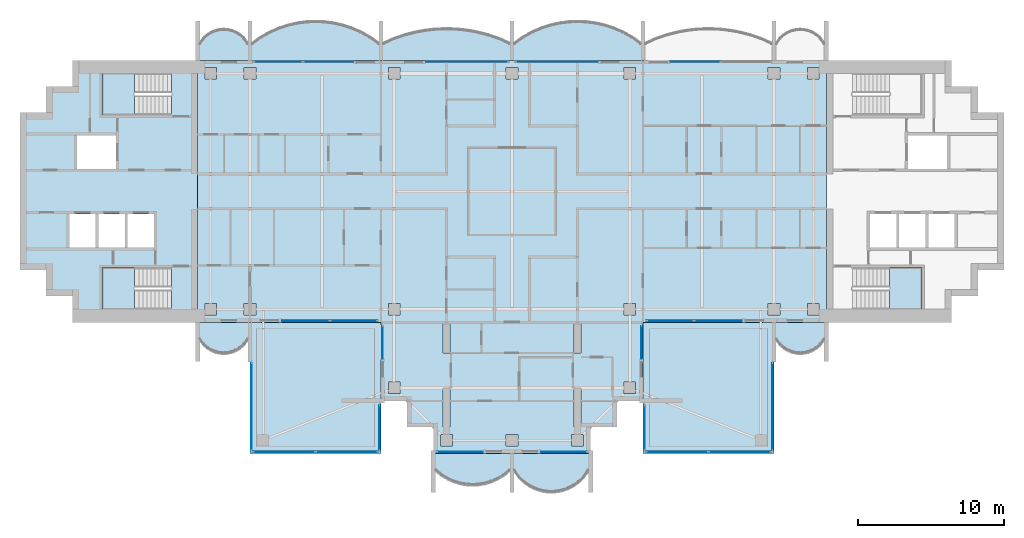
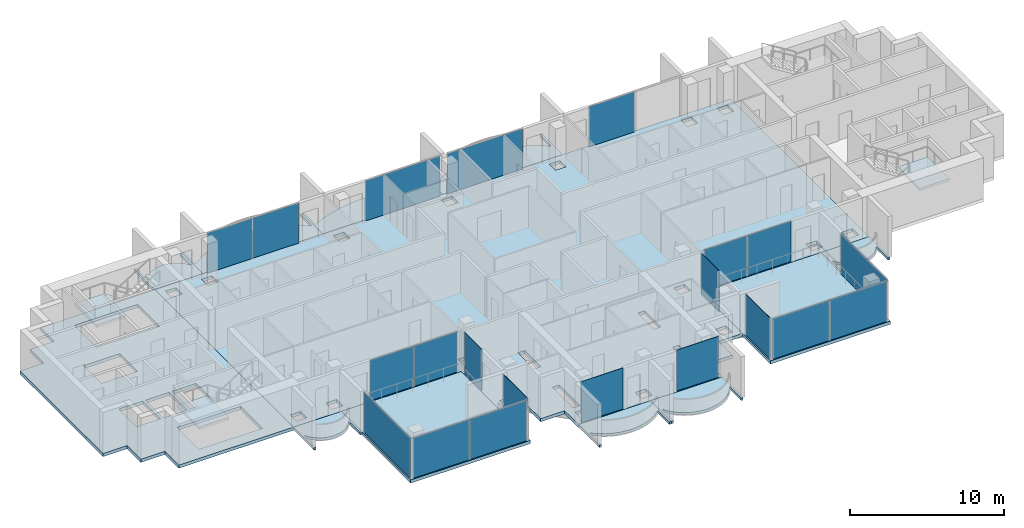
# One storey, part 5 of 16: 21 plates, 15 slabs, 19 elements without a shape of their own.
"""IFC4 building model written with IfcOpenShell, lengths in metres."""

from ifc_helpers import new_model, si_unit, direction, frame, origin, origin_2d, place, context, subcontext, project, spatial, polyline, rectangle, outline, extrude, material, layer, layer_set, type_object, element, aggregate, save


model = new_model("IFC4")

# Units and contexts
model_context = context("Model", 3, precision=1e-05, world=origin(), true_north=direction((0.0, 1.0)))
body_context = subcontext(model_context, "Body", "Model", "MODEL_VIEW")
ifc_project = project(units=[si_unit("LENGTHUNIT", "METRE"), si_unit("AREAUNIT", "SQUARE_METRE"), si_unit("VOLUMEUNIT", "CUBIC_METRE"), si_unit("PLANEANGLEUNIT", "RADIAN"), si_unit("MASSUNIT", "GRAM", prefix="KILO")], contexts=[model_context])

# Site, building, storey
site_placement = place(None, origin())
site = spatial("IfcSite", under=ifc_project, at=site_placement, CompositionType="ELEMENT")
building_placement = place(site_placement, origin())
building = spatial("IfcBuilding", under=site, at=building_placement, Name="Perihelion Cross Residences", CompositionType="ELEMENT")
storey_placement = place(building_placement, frame((0.0, 0.0, 243.0)))
storey = spatial("IfcBuildingStorey", under=building, at=storey_placement, Name="L61", CompositionType="ELEMENT", Elevation=243.0)

# Slabs
ifc_material_1 = material(Name="Concrete C40/50", Category="concrete")
ifc_layer_1 = layer(ifc_material_1, 0.199951171875)
ifc_layer_set_1 = layer_set([ifc_layer_1], Name="Balcony slab 200")
slab_type_1 = type_object("IfcSlabType", Name="Balcony slab 200", PredefinedType="FLOOR", material=ifc_layer_set_1)
slab_1_placement = place(storey_placement, frame((0.0, 0.0, -0.199951171875)))
element("IfcSlab", 1, at=slab_1_placement, inside=storey, type_object=slab_type_1, Name="Slab BK1 L61 north side east bay 1 balcony", PredefinedType="FLOOR", context=body_context, shape_type="SweptSolid", body=[
    extrude(outline(polyline([(9.0, 9.0), (0.0, 9.0), (0.0, 11.699951171875), (0.14990234375, 11.699951171875), (0.14990234375, 10.199951171875), (0.771484375, 10.634765625), (1.392822265625, 10.979248046875), (2.014404296875, 11.247802734375), (2.6357421875, 11.44921875), (3.257080078125, 11.589599609375), (3.878662109375, 11.672607421875), (4.5, 11.699951171875), (5.121337890625, 11.672607421875), (5.742919921875, 11.589599609375), (6.3642578125, 11.44921875), (6.985595703125, 11.247802734375), (7.607177734375, 10.979248046875), (8.228515625, 10.634765625), (8.85009765625, 10.199951171875), (8.85009765625, 11.699951171875), (9.0, 11.699951171875), (9.0, 9.0)])), origin(), (0.0, 0.0, 1.0), 0.199951171875),
])
slab_2_placement = place(storey_placement, frame((0.0, 0.0, -0.199951171875)))
element("IfcSlab", 2, at=slab_2_placement, inside=storey, type_object=slab_type_1, Name="Slab BK1 L61 north side east bay 2 balcony", PredefinedType="FLOOR", context=body_context, shape_type="SweptSolid", body=[
    extrude(outline(polyline([(0.0, 9.0), (-9.0, 9.0), (-9.0, 11.699951171875), (-8.85009765625, 11.699951171875), (-8.85009765625, 10.199951171875), (-8.125, 10.51708984375), (-7.39990234375, 10.7685546875), (-6.675048828125, 10.959716796875), (-5.949951171875, 11.093994140625), (-5.22509765625, 11.173583984375), (-4.5, 11.199951171875), (-3.77490234375, 11.173583984375), (-3.050048828125, 11.093994140625), (-2.324951171875, 10.959716796875), (-1.60009765625, 10.7685546875), (-0.875, 10.51708984375), (-0.14990234375, 10.199951171875), (-0.14990234375, 11.699951171875), (0.0, 11.699951171875), (0.0, 9.0)])), origin(), (0.0, 0.0, 1.0), 0.199951171875),
])
slab_3_placement = place(storey_placement, frame((0.0, 0.0, -0.199951171875)))
element("IfcSlab", 3, at=slab_3_placement, inside=storey, type_object=slab_type_1, Name="Slab BK1 L61 west side north bay 1 balcony", PredefinedType="FLOOR", context=body_context, shape_type="SweptSolid", body=[
    extrude(outline(polyline([(-9.0, 9.0), (-18.0, 9.0), (-18.0, 11.699951171875), (-17.85009765625, 11.699951171875), (-17.85009765625, 10.199951171875), (-17.228515625, 10.634765625), (-16.607177734375, 10.979248046875), (-15.985595703125, 11.247802734375), (-15.3642578125, 11.44921875), (-14.742919921875, 11.589599609375), (-14.121337890625, 11.672607421875), (-13.5, 11.699951171875), (-12.878662109375, 11.672607421875), (-12.257080078125, 11.589599609375), (-11.6357421875, 11.44921875), (-11.014404296875, 11.247802734375), (-10.392822265625, 10.979248046875), (-9.771484375, 10.634765625), (-9.14990234375, 10.199951171875), (-9.14990234375, 11.699951171875), (-9.0, 11.699951171875), (-9.0, 9.0)])), origin(), (0.0, 0.0, 1.0), 0.199951171875),
])
slab_4_placement = place(storey_placement, frame((0.0, 0.0, -0.199951171875)))
element("IfcSlab", 4, at=slab_4_placement, inside=storey, type_object=slab_type_1, Name="Slab BK1 L61 west side north bay 2 balcony", PredefinedType="FLOOR", context=body_context, shape_type="SweptSolid", body=[
    extrude(outline(polyline([(-18.0, 9.0), (-21.60009765625, 9.0), (-21.60009765625, 11.699951171875), (-21.449951171875, 11.699951171875), (-21.449951171875, 10.199951171875), (-21.175048828125, 10.568603515625), (-20.89990234375, 10.806396484375), (-20.625, 10.96875), (-20.35009765625, 11.07568359375), (-20.074951171875, 11.136962890625), (-19.800048828125, 11.156982421875), (-19.52490234375, 11.136962890625), (-19.25, 11.07568359375), (-18.97509765625, 10.96875), (-18.699951171875, 10.806396484375), (-18.425048828125, 10.568603515625), (-18.14990234375, 10.199951171875), (-18.14990234375, 11.699951171875), (-18.0, 11.699951171875), (-18.0, 9.0)])), origin(), (0.0, 0.0, 1.0), 0.199951171875),
])
slab_5_placement = place(storey_placement, frame((0.0, 0.0, -0.199951171875)))
element("IfcSlab", 5, at=slab_5_placement, inside=storey, type_object=slab_type_1, Name="Slab BK1 L61 west side south bay 1 balcony", PredefinedType="FLOOR", context=body_context, shape_type="SweptSolid", body=[
    extrude(outline(polyline([(-21.60009765625, -9.0), (-18.0, -9.0), (-18.0, -11.699951171875), (-18.14990234375, -11.699951171875), (-18.14990234375, -10.199951171875), (-18.425048828125, -10.568603515625), (-18.699951171875, -10.806396484375), (-18.97509765625, -10.96875), (-19.25, -11.07568359375), (-19.52490234375, -11.136962890625), (-19.800048828125, -11.156982421875), (-20.074951171875, -11.136962890625), (-20.35009765625, -11.07568359375), (-20.625, -10.96875), (-20.89990234375, -10.806396484375), (-21.175048828125, -10.568603515625), (-21.449951171875, -10.199951171875), (-21.449951171875, -11.699951171875), (-21.60009765625, -11.699951171875), (-21.60009765625, -9.0)])), origin(), (0.0, 0.0, 1.0), 0.199951171875),
])
slab_6_placement = place(storey_placement, frame((0.0, 0.0, -0.199951171875)))
element("IfcSlab", 6, at=slab_6_placement, inside=storey, type_object=slab_type_1, Name="Slab BK1 L61 south tip south bay 1 balcony", PredefinedType="FLOOR", context=body_context, shape_type="SweptSolid", body=[
    extrude(outline(polyline([(-5.39990234375, -18.0), (0.0, -18.0), (0.0, -20.699951171875), (-0.14990234375, -20.699951171875), (-0.14990234375, -19.199951171875), (-0.574951171875, -19.5400390625), (-1.0, -19.792724609375), (-1.425048828125, -19.9765625), (-1.85009765625, -20.1025390625), (-2.27490234375, -20.17578125), (-2.699951171875, -20.199951171875), (-3.125, -20.17578125), (-3.550048828125, -20.1025390625), (-3.97509765625, -19.9765625), (-4.39990234375, -19.792724609375), (-4.824951171875, -19.5400390625), (-5.25, -19.199951171875), (-5.25, -20.699951171875), (-5.39990234375, -20.699951171875), (-5.39990234375, -18.0)])), origin(), (0.0, 0.0, 1.0), 0.199951171875),
])
slab_7_placement = place(storey_placement, frame((0.0, 0.0, -0.199951171875)))
element("IfcSlab", 7, at=slab_7_placement, inside=storey, type_object=slab_type_1, Name="Slab BK1 L61 south tip south bay 2 balcony", PredefinedType="FLOOR", context=body_context, shape_type="SweptSolid", body=[
    extrude(outline(polyline([(0.0, -18.0), (5.39990234375, -18.0), (5.39990234375, -20.699951171875), (5.25, -20.699951171875), (5.25, -19.199951171875), (4.909912109375, -19.6767578125), (4.570068359375, -20.007080078125), (4.22998046875, -20.2490234375), (3.889892578125, -20.42724609375), (3.550048828125, -20.553466796875), (3.2099609375, -20.63427734375), (2.8701171875, -20.674072265625), (2.530029296875, -20.674072265625), (2.18994140625, -20.63427734375), (1.85009765625, -20.553466796875), (1.510009765625, -20.42724609375), (1.169921875, -20.2490234375), (0.830078125, -20.007080078125), (0.489990234375, -19.6767578125), (0.14990234375, -19.199951171875), (0.14990234375, -20.699951171875), (0.0, -20.699951171875), (0.0, -18.0)])), origin(), (0.0, 0.0, 1.0), 0.199951171875),
])
slab_8_placement = place(storey_placement, frame((0.0, 0.0, -0.199951171875)))
element("IfcSlab", 8, at=slab_8_placement, inside=storey, type_object=slab_type_1, Name="Slab BK1 L61 east side south bay 2 balcony", PredefinedType="FLOOR", context=body_context, shape_type="SweptSolid", body=[
    extrude(outline(polyline([(18.0, -9.0), (21.60009765625, -9.0), (21.60009765625, -11.699951171875), (21.449951171875, -11.699951171875), (21.449951171875, -10.199951171875), (21.175048828125, -10.568603515625), (20.89990234375, -10.806396484375), (20.625, -10.96875), (20.35009765625, -11.07568359375), (20.074951171875, -11.136962890625), (19.800048828125, -11.156982421875), (19.52490234375, -11.136962890625), (19.25, -11.07568359375), (18.97509765625, -10.96875), (18.699951171875, -10.806396484375), (18.425048828125, -10.568603515625), (18.14990234375, -10.199951171875), (18.14990234375, -11.699951171875), (18.0, -11.699951171875), (18.0, -9.0)])), origin(), (0.0, 0.0, 1.0), 0.199951171875),
])

# Curtain wall, plate
ifc_material_2 = material(Name="Bronze anodised aluminium, tinted glazing", Category="aluminium")
curtain_wall_type_1 = type_object("IfcCurtainWallType", Name="CW1", PredefinedType="NOTDEFINED", material=ifc_material_2)
curtain_wall_1_placement = place(storey_placement, origin())
curtain_wall_1 = element("IfcCurtainWall", 9, at=curtain_wall_1_placement, inside=storey, type_object=curtain_wall_type_1, Name="Curtain wall CW1 L61 east side north bay 2", PredefinedType="NOTDEFINED")
ifc_material_3 = material(Name="Tinted laminated glass", Category="glass")
ifc_layer_2 = layer(ifc_material_3, 0.028076171875)
ifc_layer_set_2 = layer_set([ifc_layer_2], Name="CW1 panel")
plate_type_1 = type_object("IfcPlateType", Name="CW1 panel", PredefinedType="CURTAIN_PANEL", material=ifc_layer_set_2)
plate_1_placement = place(storey_placement, frame((12.610107421875, 8.89990234375, 0.0), z_axis=(0.0, 0.0, 1.0), x_axis=(-1.0, 0.0, 0.0)))
plate_1 = element("IfcPlate", 10, at=plate_1_placement, type_object=plate_type_1, Name="CW1 panel 2", PredefinedType="CURTAIN_PANEL", context=body_context, shape_type="SweptSolid", body=[
    extrude(rectangle(XDim=3.419921875, YDim=0.028076171875, at=origin_2d()), origin(), (0.0, 0.0, 1.0), 3.18994140625),
])
aggregate(curtain_wall_1, [plate_1])

curtain_wall_2_placement = place(storey_placement, origin())
curtain_wall_2 = element("IfcCurtainWall", 11, at=curtain_wall_2_placement, inside=storey, type_object=curtain_wall_type_1, Name="Curtain wall CW1 L61 north side east bay 1", PredefinedType="NOTDEFINED")
plate_2_placement = place(storey_placement, frame((3.080078125, 8.89990234375, 0.0), z_axis=(0.0, 0.0, 1.0), x_axis=(-1.0, 0.0, 0.0)))
plate_2 = element("IfcPlate", 12, at=plate_2_placement, type_object=plate_type_1, Name="CW1 panel 1", PredefinedType="CURTAIN_PANEL", context=body_context, shape_type="SweptSolid", body=[
    extrude(rectangle(XDim=5.639892578125, YDim=0.028076171875, at=origin_2d()), origin(), (0.0, 0.0, 1.0), 3.18994140625),
])
aggregate(curtain_wall_2, [plate_2])

curtain_wall_3_placement = place(storey_placement, origin())
curtain_wall_3 = element("IfcCurtainWall", 13, at=curtain_wall_3_placement, inside=storey, type_object=curtain_wall_type_1, Name="Curtain wall CW1 L61 north side east bay 2", PredefinedType="NOTDEFINED")
plate_3_placement = place(storey_placement, frame((-3.080078125, 8.89990234375, 0.0), z_axis=(0.0, 0.0, 1.0), x_axis=(-1.0, 0.0, 0.0)))
plate_3 = element("IfcPlate", 14, at=plate_3_placement, type_object=plate_type_1, Name="CW1 panel 1", PredefinedType="CURTAIN_PANEL", context=body_context, shape_type="SweptSolid", body=[
    extrude(rectangle(XDim=5.639892578125, YDim=0.028076171875, at=origin_2d()), origin(), (0.0, 0.0, 1.0), 3.18994140625),
])
aggregate(curtain_wall_3, [plate_3])

# Curtain wall, plates
curtain_wall_4_placement = place(storey_placement, origin())
curtain_wall_4 = element("IfcCurtainWall", 15, at=curtain_wall_4_placement, inside=storey, type_object=curtain_wall_type_1, Name="Curtain wall CW1 L61 west side north bay 1", PredefinedType="NOTDEFINED")
plate_4_placement = place(storey_placement, frame((-12.610107421875, 8.89990234375, 0.0), z_axis=(0.0, 0.0, 1.0), x_axis=(-1.0, 0.0, 0.0)))
plate_4 = element("IfcPlate", 16, at=plate_4_placement, type_object=plate_type_1, Name="CW1 panel 1", PredefinedType="CURTAIN_PANEL", context=body_context, shape_type="SweptSolid", body=[
    extrude(rectangle(XDim=3.419921875, YDim=0.028076171875, at=origin_2d()), origin(), (0.0, 0.0, 1.0), 3.18994140625),
])
plate_5_placement = place(storey_placement, frame((-16.06005859375, 8.89990234375, 0.0), z_axis=(0.0, 0.0, 1.0), x_axis=(-1.0, 0.0, 0.0)))
plate_5 = element("IfcPlate", 17, at=plate_5_placement, type_object=plate_type_1, Name="CW1 panel 2", PredefinedType="CURTAIN_PANEL", context=body_context, shape_type="SweptSolid", body=[
    extrude(rectangle(XDim=3.360107421875, YDim=0.028076171875, at=origin_2d()), origin(), (0.0, 0.0, 1.0), 3.18994140625),
])
aggregate(curtain_wall_4, [plate_4, plate_5])

curtain_wall_5_placement = place(storey_placement, origin())
curtain_wall_5 = element("IfcCurtainWall", 18, at=curtain_wall_5_placement, inside=storey, type_object=curtain_wall_type_1, Name="Curtain wall CW1 L61 west side south bay 2", PredefinedType="NOTDEFINED")
plate_6_placement = place(storey_placement, frame((-14.1650390625, -8.89990234375, 0.0), z_axis=(0.0, 0.0, 1.0), x_axis=(1.0, 0.0, 0.0)))
plate_6 = element("IfcPlate", 19, at=plate_6_placement, type_object=plate_type_1, Name="CW1 panel 1", PredefinedType="CURTAIN_PANEL", context=body_context, shape_type="SweptSolid", body=[
    extrude(rectangle(XDim=3.27001953125, YDim=0.028076171875, at=origin_2d()), origin(), (0.0, 0.0, 1.0), 3.18994140625),
])
plate_7_placement = place(storey_placement, frame((-10.864990234375, -8.89990234375, 0.0), z_axis=(0.0, 0.0, 1.0), x_axis=(1.0, 0.0, 0.0)))
plate_7 = element("IfcPlate", 20, at=plate_7_placement, type_object=plate_type_1, Name="CW1 panel 2", PredefinedType="CURTAIN_PANEL", context=body_context, shape_type="SweptSolid", body=[
    extrude(rectangle(XDim=3.2099609375, YDim=0.028076171875, at=origin_2d()), origin(), (0.0, 0.0, 1.0), 3.18994140625),
])
aggregate(curtain_wall_5, [plate_6, plate_7])

# Curtain wall, plate
curtain_wall_6_placement = place(storey_placement, origin())
curtain_wall_6 = element("IfcCurtainWall", 21, at=curtain_wall_6_placement, inside=storey, type_object=curtain_wall_type_1, Name="Curtain wall CW1 L61 south side west bay 1", PredefinedType="NOTDEFINED")
plate_8_placement = place(storey_placement, frame((-8.89990234375, -10.3798828125, 0.0), z_axis=(0.0, 0.0, 1.0), x_axis=(0.0, -1.0, 0.0)))
plate_8 = element("IfcPlate", 22, at=plate_8_placement, type_object=plate_type_1, Name="CW1 panel 1", PredefinedType="CURTAIN_PANEL", context=body_context, shape_type="SweptSolid", body=[
    extrude(rectangle(XDim=2.239990234375, YDim=0.028076171875, at=origin_2d()), origin(), (0.0, 0.0, 1.0), 3.25),
])
aggregate(curtain_wall_6, [plate_8])

curtain_wall_7_placement = place(storey_placement, origin())
curtain_wall_7 = element("IfcCurtainWall", 23, at=curtain_wall_7_placement, inside=storey, type_object=curtain_wall_type_1, Name="Curtain wall CW1 L61 south tip south bay 1", PredefinedType="NOTDEFINED")
plate_9_placement = place(storey_placement, frame((-3.570068359375, -17.89990234375, 0.0), z_axis=(0.0, 0.0, 1.0), x_axis=(1.0, 0.0, 0.0)))
plate_9 = element("IfcPlate", 24, at=plate_9_placement, type_object=plate_type_1, Name="CW1 panel 1", PredefinedType="CURTAIN_PANEL", context=body_context, shape_type="SweptSolid", body=[
    extrude(rectangle(XDim=3.139892578125, YDim=0.028076171875, at=origin_2d()), origin(), (0.0, 0.0, 1.0), 3.25),
])
aggregate(curtain_wall_7, [plate_9])

curtain_wall_8_placement = place(storey_placement, origin())
curtain_wall_8 = element("IfcCurtainWall", 25, at=curtain_wall_8_placement, inside=storey, type_object=curtain_wall_type_1, Name="Curtain wall CW1 L61 south tip south bay 2", PredefinedType="NOTDEFINED")
plate_10_placement = place(storey_placement, frame((3.570068359375, -17.89990234375, 0.0), z_axis=(0.0, 0.0, 1.0), x_axis=(1.0, 0.0, 0.0)))
plate_10 = element("IfcPlate", 26, at=plate_10_placement, type_object=plate_type_1, Name="CW1 panel 1", PredefinedType="CURTAIN_PANEL", context=body_context, shape_type="SweptSolid", body=[
    extrude(rectangle(XDim=3.139892578125, YDim=0.028076171875, at=origin_2d()), origin(), (0.0, 0.0, 1.0), 3.25),
])
aggregate(curtain_wall_8, [plate_10])

curtain_wall_9_placement = place(storey_placement, origin())
curtain_wall_9 = element("IfcCurtainWall", 27, at=curtain_wall_9_placement, inside=storey, type_object=curtain_wall_type_1, Name="Curtain wall CW1 L61 south side east bay 1", PredefinedType="NOTDEFINED")
plate_11_placement = place(storey_placement, frame((8.89990234375, -10.3798828125, 0.0), z_axis=(0.0, 0.0, 1.0), x_axis=(0.0, 1.0, 0.0)))
plate_11 = element("IfcPlate", 28, at=plate_11_placement, type_object=plate_type_1, Name="CW1 panel 1", PredefinedType="CURTAIN_PANEL", context=body_context, shape_type="SweptSolid", body=[
    extrude(rectangle(XDim=2.239990234375, YDim=0.028076171875, at=origin_2d()), origin(), (0.0, 0.0, 1.0), 3.25),
])
aggregate(curtain_wall_9, [plate_11])

# Curtain wall, plates
curtain_wall_10_placement = place(storey_placement, origin())
curtain_wall_10 = element("IfcCurtainWall", 29, at=curtain_wall_10_placement, inside=storey, type_object=curtain_wall_type_1, Name="Curtain wall CW1 L61 east side south bay 1", PredefinedType="NOTDEFINED")
plate_12_placement = place(storey_placement, frame((10.864990234375, -8.89990234375, 0.0), z_axis=(0.0, 0.0, 1.0), x_axis=(1.0, 0.0, 0.0)))
plate_12 = element("IfcPlate", 30, at=plate_12_placement, type_object=plate_type_1, Name="CW1 panel 1", PredefinedType="CURTAIN_PANEL", context=body_context, shape_type="SweptSolid", body=[
    extrude(rectangle(XDim=3.2099609375, YDim=0.028076171875, at=origin_2d()), origin(), (0.0, 0.0, 1.0), 3.18994140625),
])
plate_13_placement = place(storey_placement, frame((14.1650390625, -8.89990234375, 0.0), z_axis=(0.0, 0.0, 1.0), x_axis=(1.0, 0.0, 0.0)))
plate_13 = element("IfcPlate", 31, at=plate_13_placement, type_object=plate_type_1, Name="CW1 panel 2", PredefinedType="CURTAIN_PANEL", context=body_context, shape_type="SweptSolid", body=[
    extrude(rectangle(XDim=3.27001953125, YDim=0.028076171875, at=origin_2d()), origin(), (0.0, 0.0, 1.0), 3.18994140625),
])
aggregate(curtain_wall_10, [plate_12, plate_13])

# Curtain wall, plate
ifc_material_4 = material(Name="Bronze anodised aluminium, tinted glazing", Category="aluminium")
curtain_wall_type_2 = type_object("IfcCurtainWallType", Name="CW4", PredefinedType="NOTDEFINED", material=ifc_material_4)
curtain_wall_11_placement = place(storey_placement, origin())
curtain_wall_11 = element("IfcCurtainWall", 32, at=curtain_wall_11_placement, inside=storey, type_object=curtain_wall_type_2, Name="Curtain wall CW4 L61 pocket south-east 1 1", PredefinedType="NOTDEFINED")
ifc_material_5 = material(Name="Tinted laminated glass", Category="glass")
ifc_layer_3 = layer(ifc_material_5, 0.030029296875)
ifc_layer_set_3 = layer_set([ifc_layer_3], Name="CW4 panel")
plate_type_2 = type_object("IfcPlateType", Name="CW4 panel", PredefinedType="CURTAIN_PANEL", material=ifc_layer_set_3)
plate_14_placement = place(storey_placement, frame((17.89990234375, -14.784912109375, 0.0), z_axis=(0.0, 0.0, 1.0), x_axis=(0.0, -1.0, 0.0)))
plate_14 = element("IfcPlate", 33, at=plate_14_placement, type_object=plate_type_2, Name="CW4 panel 1", PredefinedType="CURTAIN_PANEL", context=body_context, shape_type="SweptSolid", body=[
    extrude(rectangle(XDim=5.969970703125, YDim=0.030029296875, at=origin_2d()), origin(), (0.0, 0.0, 1.0), 3.18994140625),
])
aggregate(curtain_wall_11, [plate_14])

# Curtain wall, plates
curtain_wall_12_placement = place(storey_placement, origin())
curtain_wall_12 = element("IfcCurtainWall", 34, at=curtain_wall_12_placement, inside=storey, type_object=curtain_wall_type_2, Name="Curtain wall CW4 L61 pocket south-east 1 2", PredefinedType="NOTDEFINED")
plate_15_placement = place(storey_placement, frame((15.64990234375, -17.89990234375, 0.0), z_axis=(0.0, 0.0, 1.0), x_axis=(-1.0, 0.0, 0.0)))
plate_15 = element("IfcPlate", 35, at=plate_15_placement, type_object=plate_type_2, Name="CW4 panel 1", PredefinedType="CURTAIN_PANEL", context=body_context, shape_type="SweptSolid", body=[
    extrude(rectangle(XDim=4.239990234375, YDim=0.030029296875, at=origin_2d()), origin(), (0.0, 0.0, 1.0), 3.18994140625),
])
plate_16_placement = place(storey_placement, frame((11.35009765625, -17.89990234375, 0.0), z_axis=(0.0, 0.0, 1.0), x_axis=(-1.0, 0.0, 0.0)))
plate_16 = element("IfcPlate", 36, at=plate_16_placement, type_object=plate_type_2, Name="CW4 panel 2", PredefinedType="CURTAIN_PANEL", context=body_context, shape_type="SweptSolid", body=[
    extrude(rectangle(XDim=4.239990234375, YDim=0.030029296875, at=origin_2d()), origin(), (0.0, 0.0, 1.0), 3.18994140625),
])
aggregate(curtain_wall_12, [plate_15, plate_16])

# Curtain wall, plate
curtain_wall_13_placement = place(storey_placement, origin())
curtain_wall_13 = element("IfcCurtainWall", 37, at=curtain_wall_13_placement, inside=storey, type_object=curtain_wall_type_2, Name="Curtain wall CW4 L61 pocket south-east 1 3", PredefinedType="NOTDEFINED")
plate_17_placement = place(storey_placement, frame((9.10009765625, -16.2294921875, 0.0), z_axis=(0.0, 0.0, 1.0), x_axis=(0.0, 1.0, 0.0)))
plate_17 = element("IfcPlate", 38, at=plate_17_placement, type_object=plate_type_2, Name="CW4 panel 1", PredefinedType="CURTAIN_PANEL", context=body_context, shape_type="SweptSolid", body=[
    extrude(rectangle(XDim=3.0810546875, YDim=0.030029296875, at=origin_2d()), origin(), (0.0, 0.0, 1.0), 3.25),
])
aggregate(curtain_wall_13, [plate_17])

curtain_wall_14_placement = place(storey_placement, origin())
curtain_wall_14 = element("IfcCurtainWall", 39, at=curtain_wall_14_placement, inside=storey, type_object=curtain_wall_type_2, Name="Curtain wall CW4 L61 pocket south-west 1 1", PredefinedType="NOTDEFINED")
plate_18_placement = place(storey_placement, frame((-9.10009765625, -16.2294921875, 0.0), z_axis=(0.0, 0.0, 1.0), x_axis=(0.0, -1.0, 0.0)))
plate_18 = element("IfcPlate", 40, at=plate_18_placement, type_object=plate_type_2, Name="CW4 panel 1", PredefinedType="CURTAIN_PANEL", context=body_context, shape_type="SweptSolid", body=[
    extrude(rectangle(XDim=3.0810546875, YDim=0.030029296875, at=origin_2d()), origin(), (0.0, 0.0, 1.0), 3.25),
])
aggregate(curtain_wall_14, [plate_18])

# Curtain wall, plates
curtain_wall_15_placement = place(storey_placement, origin())
curtain_wall_15 = element("IfcCurtainWall", 41, at=curtain_wall_15_placement, inside=storey, type_object=curtain_wall_type_2, Name="Curtain wall CW4 L61 pocket south-west 1 2", PredefinedType="NOTDEFINED")
plate_19_placement = place(storey_placement, frame((-11.35009765625, -17.89990234375, 0.0), z_axis=(0.0, 0.0, 1.0), x_axis=(-1.0, 0.0, 0.0)))
plate_19 = element("IfcPlate", 42, at=plate_19_placement, type_object=plate_type_2, Name="CW4 panel 1", PredefinedType="CURTAIN_PANEL", context=body_context, shape_type="SweptSolid", body=[
    extrude(rectangle(XDim=4.239990234375, YDim=0.030029296875, at=origin_2d()), origin(), (0.0, 0.0, 1.0), 3.18994140625),
])
plate_20_placement = place(storey_placement, frame((-15.64990234375, -17.89990234375, 0.0), z_axis=(0.0, 0.0, 1.0), x_axis=(-1.0, 0.0, 0.0)))
plate_20 = element("IfcPlate", 43, at=plate_20_placement, type_object=plate_type_2, Name="CW4 panel 2", PredefinedType="CURTAIN_PANEL", context=body_context, shape_type="SweptSolid", body=[
    extrude(rectangle(XDim=4.239990234375, YDim=0.030029296875, at=origin_2d()), origin(), (0.0, 0.0, 1.0), 3.18994140625),
])
aggregate(curtain_wall_15, [plate_19, plate_20])

# Curtain wall, plate
curtain_wall_16_placement = place(storey_placement, origin())
curtain_wall_16 = element("IfcCurtainWall", 44, at=curtain_wall_16_placement, inside=storey, type_object=curtain_wall_type_2, Name="Curtain wall CW4 L61 pocket south-west 1 3", PredefinedType="NOTDEFINED")
plate_21_placement = place(storey_placement, frame((-17.89990234375, -14.784912109375, 0.0), z_axis=(0.0, 0.0, 1.0), x_axis=(0.0, 1.0, 0.0)))
plate_21 = element("IfcPlate", 45, at=plate_21_placement, type_object=plate_type_2, Name="CW4 panel 1", PredefinedType="CURTAIN_PANEL", context=body_context, shape_type="SweptSolid", body=[
    extrude(rectangle(XDim=5.969970703125, YDim=0.030029296875, at=origin_2d()), origin(), (0.0, 0.0, 1.0), 3.18994140625),
])
aggregate(curtain_wall_16, [plate_21])

# Slab
ifc_material_6 = material(Name="Concrete C40/50", Category="concrete")
ifc_layer_4 = layer(ifc_material_6, 0.25)
ifc_layer_set_4 = layer_set([ifc_layer_4], Name="Core floor slab 250")
slab_type_2 = type_object("IfcSlabType", Name="Core floor slab 250", PredefinedType="FLOOR", material=ifc_layer_set_4)
slab_9_placement = place(storey_placement, frame((0.0, 0.0, -0.25)))
element("IfcSlab", 46, at=slab_9_placement, inside=storey, type_object=slab_type_2, Name="West core floor slab", PredefinedType="FLOOR", context=body_context, shape_type="SweptSolid", body=[
    extrude(outline(polyline([(-30.199951171875, 7.199951171875), (-32.0, 7.199951171875), (-32.0, 5.39990234375), (-33.800048828125, 5.39990234375), (-33.800048828125, -5.39990234375), (-32.0, -5.39990234375), (-32.0, -7.199951171875), (-30.199951171875, -7.199951171875), (-30.199951171875, -9.0), (-21.60009765625, -9.0), (-21.60009765625, 9.0), (-30.199951171875, 9.0), (-30.199951171875, 7.199951171875)]), holes=[polyline([(-28.14990234375, -8.10009765625), (-28.14990234375, -5.25), (-23.405029296875, -5.25), (-23.405029296875, -8.10009765625), (-28.14990234375, -8.10009765625)]), polyline([(-24.60009765625, -1.550048828125), (-24.60009765625, -3.85009765625), (-26.39990234375, -3.85009765625), (-26.39990234375, -1.550048828125), (-24.60009765625, -1.550048828125)]), polyline([(-26.60009765625, -1.550048828125), (-26.60009765625, -3.85009765625), (-28.39990234375, -3.85009765625), (-28.39990234375, -1.550048828125), (-26.60009765625, -1.550048828125)]), polyline([(-28.60009765625, -3.85009765625), (-30.39990234375, -3.85009765625), (-30.39990234375, -1.550048828125), (-28.60009765625, -1.550048828125), (-28.60009765625, -3.85009765625)]), polyline([(-27.199951171875, 3.85009765625), (-27.199951171875, 1.550048828125), (-29.89990234375, 1.550048828125), (-29.89990234375, 3.85009765625), (-27.199951171875, 3.85009765625)]), polyline([(-23.405029296875, 5.25), (-28.14990234375, 5.25), (-28.14990234375, 8.10009765625), (-23.405029296875, 8.10009765625), (-23.405029296875, 5.25)])]), origin(), (0.0, 0.0, 1.0), 0.25),
])

# Stair, slab
ifc_material_7 = material(Name="Concrete C40/50", Category="concrete")
stair_type = type_object("IfcStairType", Name="Exit stair, half-turn", PredefinedType="HALF_TURN_STAIR", material=ifc_material_7)
stair_1_placement = place(storey_placement, origin())
stair_1 = element("IfcStair", 47, at=stair_1_placement, inside=storey, type_object=stair_type, Name="L61 East core exit stair 2", PredefinedType="HALF_TURN_STAIR")
ifc_material_8 = material(Name="Concrete C40/50", Category="concrete")
ifc_layer_5 = layer(ifc_material_8, 0.199951171875)
ifc_layer_set_5 = layer_set([ifc_layer_5], Name="Exit stair landing 200")
slab_type_3 = type_object("IfcSlabType", Name="Exit stair landing 200", PredefinedType="LANDING", material=ifc_layer_set_5)
slab_10_placement = place(storey_placement, frame((0.0, 0.0, 1.550048828125)))
slab_10 = element("IfcSlab", 48, at=slab_10_placement, type_object=slab_type_3, Name="ST-E2 landing 1", PredefinedType="LANDING", context=body_context, shape_type="SweptSolid", body=[
    extrude(outline(polyline([(25.919921875, -8.10009765625), (28.14990234375, -8.10009765625), (28.14990234375, -5.25), (25.919921875, -5.25), (25.919921875, -8.10009765625)])), origin(), (0.0, 0.0, 1.0), 0.199951171875),
])
aggregate(stair_1, [slab_10])

stair_2_placement = place(storey_placement, origin())
stair_2 = element("IfcStair", 49, at=stair_2_placement, inside=storey, type_object=stair_type, Name="L61 West core exit stair 1", PredefinedType="HALF_TURN_STAIR")
slab_11_placement = place(storey_placement, frame((0.0, 0.0, 1.550048828125)))
slab_11 = element("IfcSlab", 50, at=slab_11_placement, type_object=slab_type_3, Name="ST-W1 landing 1", PredefinedType="LANDING", context=body_context, shape_type="SweptSolid", body=[
    extrude(outline(polyline([(-25.919921875, 8.10009765625), (-28.14990234375, 8.10009765625), (-28.14990234375, 5.25), (-25.919921875, 5.25), (-25.919921875, 8.10009765625)])), origin(), (0.0, 0.0, 1.0), 0.199951171875),
])
aggregate(stair_2, [slab_11])

stair_3_placement = place(storey_placement, origin())
stair_3 = element("IfcStair", 51, at=stair_3_placement, inside=storey, type_object=stair_type, Name="L61 West core exit stair 2", PredefinedType="HALF_TURN_STAIR")
slab_12_placement = place(storey_placement, frame((0.0, 0.0, 1.550048828125)))
slab_12 = element("IfcSlab", 52, at=slab_12_placement, type_object=slab_type_3, Name="ST-W2 landing 1", PredefinedType="LANDING", context=body_context, shape_type="SweptSolid", body=[
    extrude(outline(polyline([(-25.919921875, -5.25), (-28.14990234375, -5.25), (-28.14990234375, -8.10009765625), (-25.919921875, -8.10009765625), (-25.919921875, -5.25)])), origin(), (0.0, 0.0, 1.0), 0.199951171875),
])
aggregate(stair_3, [slab_12])

# Slabs
ifc_material_9 = material(Name="Concrete C50/60", Category="concrete")
ifc_layer_6 = layer(ifc_material_9, 0.25)
ifc_layer_set_6 = layer_set([ifc_layer_6], Name="Residential floor post-tensioned slab concrete C50/60")
slab_type_4 = type_object("IfcSlabType", Name="Residential floor post-tensioned slab concrete C50/60", PredefinedType="FLOOR", material=ifc_layer_set_6)
slab_13_placement = place(storey_placement, frame((0.0, 0.0, -0.25)))
element("IfcSlab", 53, at=slab_13_placement, inside=storey, type_object=slab_type_4, Name="Slab SL8 L61 1 no. 1", PredefinedType="FLOOR", context=body_context, shape_type="SweptSolid", body=[
    extrude(outline(polyline([(-9.0, 9.0), (9.0, 9.0), (21.60009765625, 9.0), (21.60009765625, -9.0), (9.0, -9.0), (9.0, -14.39990234375), (7.199951171875, -14.39990234375), (7.199951171875, -16.199951171875), (5.39990234375, -16.199951171875), (5.39990234375, -18.0), (-5.39990234375, -18.0), (-5.39990234375, -16.199951171875), (-7.199951171875, -16.199951171875), (-7.199951171875, -14.39990234375), (-9.0, -14.39990234375), (-9.0, -9.0), (-21.60009765625, -9.0), (-21.60009765625, 9.0), (-9.0, 9.0)]), holes=[polyline([(-4.10009765625, -16.699951171875), (-4.89990234375, -16.699951171875), (-4.89990234375, -17.5), (-4.10009765625, -17.5), (-4.10009765625, -16.699951171875)]), polyline([(0.39990234375, -17.5), (0.39990234375, -16.699951171875), (-0.39990234375, -16.699951171875), (-0.39990234375, -17.5), (0.39990234375, -17.5)]), polyline([(-4.25, -16.199951171875), (-4.25, -13.5), (-4.75, -13.5), (-4.75, -16.199951171875), (-4.25, -16.199951171875)]), polyline([(-7.699951171875, -13.10009765625), (-8.5, -13.10009765625), (-8.5, -13.89990234375), (-7.699951171875, -13.89990234375), (-7.699951171875, -13.10009765625)]), polyline([(-4.25, -11.10009765625), (-4.25, -9.0), (-4.75, -9.0), (-4.75, -11.10009765625), (-4.25, -11.10009765625)]), polyline([(-20.300048828125, -8.5), (-20.300048828125, -7.699951171875), (-21.10009765625, -7.699951171875), (-21.10009765625, -8.5), (-20.300048828125, -8.5)]), polyline([(-17.60009765625, -7.699951171875), (-18.39990234375, -7.699951171875), (-18.39990234375, -8.5), (-17.60009765625, -8.5), (-17.60009765625, -7.699951171875)]), polyline([(-7.699951171875, -8.5), (-7.699951171875, -7.699951171875), (-8.5, -7.699951171875), (-8.5, -8.5), (-7.699951171875, -8.5)]), polyline([(-20.300048828125, 8.5), (-21.10009765625, 8.5), (-21.10009765625, 7.699951171875), (-20.300048828125, 7.699951171875), (-20.300048828125, 8.5)]), polyline([(-17.60009765625, 7.699951171875), (-17.60009765625, 8.5), (-18.39990234375, 8.5), (-18.39990234375, 7.699951171875), (-17.60009765625, 7.699951171875)]), polyline([(-7.699951171875, 7.699951171875), (-7.699951171875, 8.5), (-8.5, 8.5), (-8.5, 7.699951171875), (-7.699951171875, 7.699951171875)]), polyline([(4.89990234375, -16.699951171875), (4.10009765625, -16.699951171875), (4.10009765625, -17.5), (4.89990234375, -17.5), (4.89990234375, -16.699951171875)]), polyline([(4.75, -16.199951171875), (4.75, -13.5), (4.25, -13.5), (4.25, -16.199951171875), (4.75, -16.199951171875)]), polyline([(8.5, -13.89990234375), (8.5, -13.10009765625), (7.699951171875, -13.10009765625), (7.699951171875, -13.89990234375), (8.5, -13.89990234375)]), polyline([(4.75, -9.0), (4.25, -9.0), (4.25, -11.10009765625), (4.75, -11.10009765625), (4.75, -9.0)]), polyline([(8.5, -8.5), (8.5, -7.699951171875), (7.699951171875, -7.699951171875), (7.699951171875, -8.5), (8.5, -8.5)]), polyline([(18.39990234375, -8.5), (18.39990234375, -7.699951171875), (17.60009765625, -7.699951171875), (17.60009765625, -8.5), (18.39990234375, -8.5)]), polyline([(21.10009765625, -7.699951171875), (20.300048828125, -7.699951171875), (20.300048828125, -8.5), (21.10009765625, -8.5), (21.10009765625, -7.699951171875)]), polyline([(0.39990234375, 7.699951171875), (0.39990234375, 8.5), (-0.39990234375, 8.5), (-0.39990234375, 7.699951171875), (0.39990234375, 7.699951171875)]), polyline([(8.5, 8.5), (7.699951171875, 8.5), (7.699951171875, 7.699951171875), (8.5, 7.699951171875), (8.5, 8.5)]), polyline([(18.39990234375, 7.699951171875), (18.39990234375, 8.5), (17.60009765625, 8.5), (17.60009765625, 7.699951171875), (18.39990234375, 7.699951171875)]), polyline([(21.10009765625, 7.699951171875), (21.10009765625, 8.5), (20.300048828125, 8.5), (20.300048828125, 7.699951171875), (21.10009765625, 7.699951171875)])]), origin(), (0.0, 0.0, 1.0), 0.25),
])
ifc_material_10 = material(Name="Concrete C40/50", Category="concrete")
ifc_layer_7 = layer(ifc_material_10, 0.25)
ifc_layer_set_7 = layer_set([ifc_layer_7], Name="Winter garden slab")
slab_type_5 = type_object("IfcSlabType", Name="Winter garden slab", PredefinedType="FLOOR", material=ifc_layer_set_7)
slab_14_placement = place(storey_placement, frame((0.0, 0.0, -0.25)))
element("IfcSlab", 54, at=slab_14_placement, inside=storey, type_object=slab_type_5, Name="Slab BK3 L61 pocket south-west", PredefinedType="FLOOR", context=body_context, shape_type="SweptSolid", body=[
    extrude(outline(polyline([(-9.0, -18.0), (-9.0, -9.0), (-18.0, -9.0), (-18.0, -18.0), (-9.0, -18.0)])), origin(), (0.0, 0.0, 1.0), 0.25),
])
slab_15_placement = place(storey_placement, frame((0.0, 0.0, -0.25)))
element("IfcSlab", 55, at=slab_15_placement, inside=storey, type_object=slab_type_5, Name="Slab BK3 L61 pocket south-east", PredefinedType="FLOOR", context=body_context, shape_type="SweptSolid", body=[
    extrude(outline(polyline([(18.0, -18.0), (18.0, -9.0), (9.0, -9.0), (9.0, -18.0), (18.0, -18.0)])), origin(), (0.0, 0.0, 1.0), 0.25),
])

save(model, "model.ifc")
